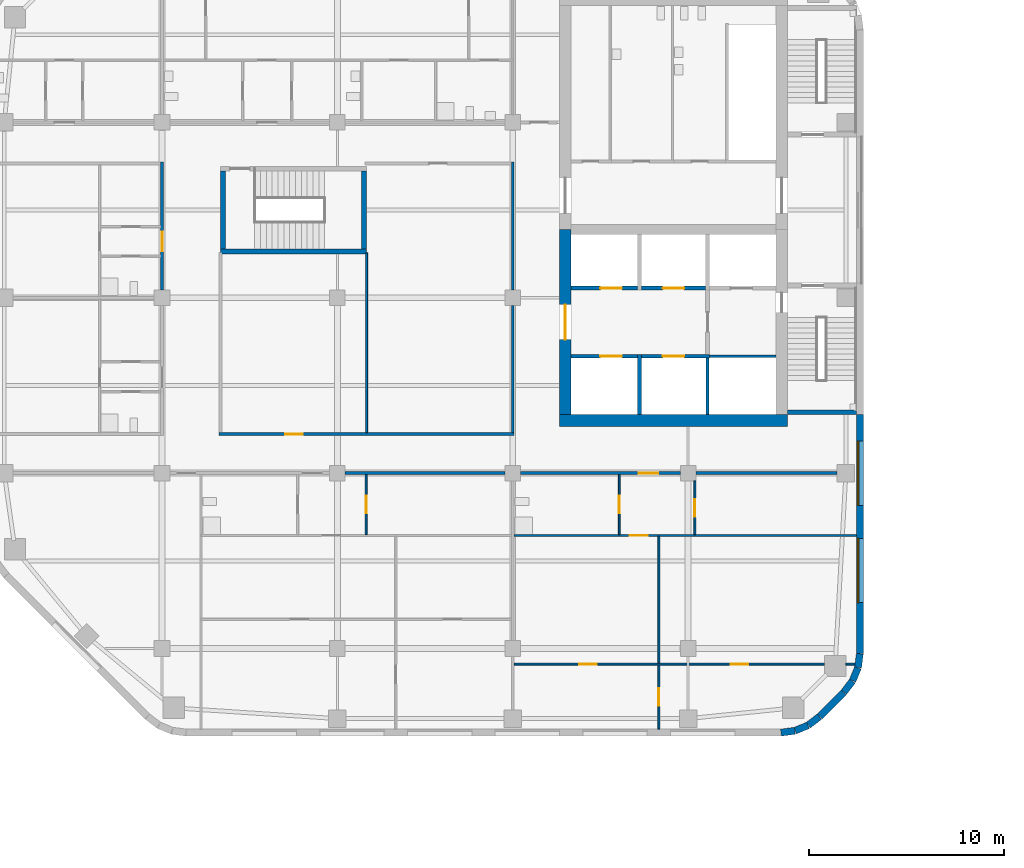
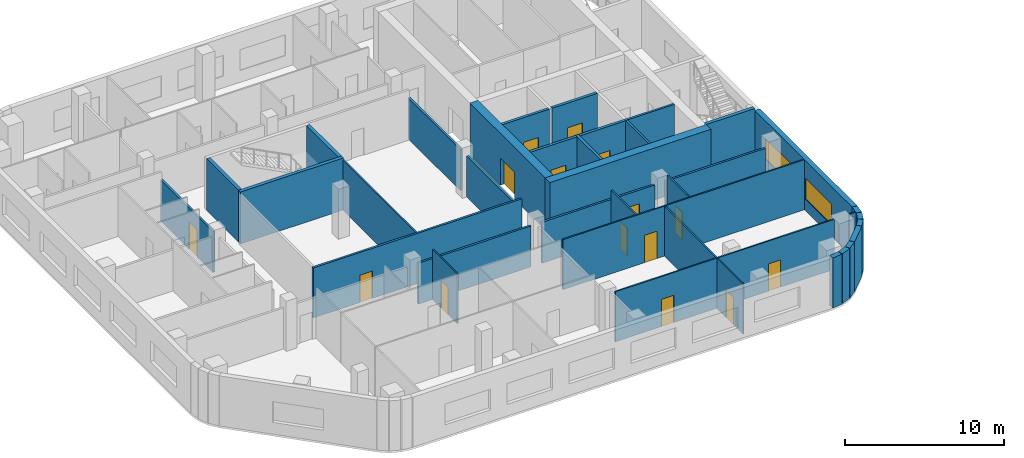
# One storey, part 6 of 16: 37 walls, 15 doors, 2 windows, 17 openings.
"""IFC4 building model written with IfcOpenShell, lengths in metres."""

from ifc_helpers import new_model, si_unit, direction, frame, frame_2d, origin, place, context, subcontext, project, spatial, rectangle, extrude, material, layer, layer_set, type_object, element, fill, save


model = new_model("IFC4")

# Units and contexts
model_context = context("Model", 3, precision=1e-05, world=origin(), true_north=direction((0.0, 1.0)))
body_context = subcontext(model_context, "Body", "Model", "MODEL_VIEW")
ifc_project = project(units=[si_unit("LENGTHUNIT", "METRE"), si_unit("AREAUNIT", "SQUARE_METRE"), si_unit("VOLUMEUNIT", "CUBIC_METRE"), si_unit("PLANEANGLEUNIT", "RADIAN"), si_unit("MASSUNIT", "GRAM", prefix="KILO")], contexts=[model_context])

# Site, building, storey
site_placement = place(None, origin())
site = spatial("IfcSite", under=ifc_project, at=site_placement, CompositionType="ELEMENT")
building_placement = place(site_placement, origin())
building = spatial("IfcBuilding", under=site, at=building_placement, Name="Cinnabar Reach Civic Tower", CompositionType="ELEMENT")
storey_placement = place(building_placement, frame((0.0, 0.0, 38.0)))
storey = spatial("IfcBuildingStorey", under=building, at=storey_placement, Name="L08", CompositionType="ELEMENT", Elevation=38.0)

# Walls
ifc_material_1 = material(Name="Facing brick with insulated backing", Category="masonry")
ifc_layer_1 = layer(ifc_material_1, 0.36)
ifc_layer_set_1 = layer_set([ifc_layer_1], Name="Brick corner wall")
wall_type_1 = type_object("IfcWallType", Name="Brick corner wall", PredefinedType="STANDARD", material=ifc_layer_set_1)
for number, where, z_axis, x_axis, name in (
    (1, (-31.2314, 4.683, 0.0), (0.0, 0.0, 1.0), (0.99144092581, 0.13055608231, 0.0), "Brick corner wall"),
    (2, (-30.5027, 4.7819, 0.0), (0.0, 0.0, 1.0), (0.923871547278, 0.382702709855, 0.0), "Brick corner wall"),
):
    element("IfcWall", number, at=place(storey_placement, frame(where, z_axis=z_axis, x_axis=x_axis)), inside=storey, type_object=wall_type_1, Name=name, PredefinedType="STANDARD", context=body_context, shape_type="SweptSolid", body=[
        extrude(rectangle(XDim=0.7131, YDim=0.36, at=frame_2d((0.3565, 0.0))), origin(), (0.0, 0.0, 1.0), 3.85),
    ])
for number, where, z_axis, x_axis, name in (
    (3, (-29.8245, 5.066, 0.0), (0.0, 0.0, 1.0), (0.793321924995, 0.608802368033, 0.0), "Brick corner wall"),
    (4, (-28.0002, 6.7587, 0.0), (0.0, 0.0, 1.0), (0.608802368033, 0.793321924995, 0.0), "Brick corner wall"),
):
    element("IfcWall", number, at=place(storey_placement, frame(where, z_axis=z_axis, x_axis=x_axis)), inside=storey, type_object=wall_type_1, Name=name, PredefinedType="STANDARD", context=body_context, shape_type="SweptSolid", body=[
        extrude(rectangle(XDim=0.7132, YDim=0.36, at=frame_2d((0.3566, 0.0))), origin(), (0.0, 0.0, 1.0), 3.85),
    ])
for number, where, z_axis, x_axis, name in (
    (5, (-27.5548, 7.3439, 0.0), (0.0, 0.0, 1.0), (0.382702709855, 0.923871547278, 0.0), "Brick corner wall"),
    (6, (-27.2761, 8.0244, 0.0), (0.0, 0.0, 1.0), (0.13055608231, 0.99144092581, 0.0), "Brick corner wall"),
):
    element("IfcWall", number, at=place(storey_placement, frame(where, z_axis=z_axis, x_axis=x_axis)), inside=storey, type_object=wall_type_1, Name=name, PredefinedType="STANDARD", context=body_context, shape_type="SweptSolid", body=[
        extrude(rectangle(XDim=0.7131, YDim=0.36, at=frame_2d((0.3565, 0.0))), origin(), (0.0, 0.0, 1.0), 3.85),
    ])
ifc_layer_2 = layer(ifc_material_1, 0.36)
ifc_layer_set_2 = layer_set([ifc_layer_2], Name="Brick pier and spandrel wall")
wall_type_2 = type_object("IfcWallType", Name="Brick pier and spandrel wall", PredefinedType="STANDARD", material=ifc_layer_set_2)
wall_1_placement = place(storey_placement, frame((-29.2486, 5.506, 0.0), z_axis=(0.0, 0.0, 1.0), x_axis=(0.707106781187, 0.707106781187, 0.0)))
element("IfcWall", 7, at=wall_1_placement, inside=storey, type_object=wall_type_2, Name="Brick facade wall", PredefinedType="STANDARD", context=body_context, shape_type="SweptSolid", body=[
    extrude(rectangle(XDim=1.7573, YDim=0.36, at=frame_2d((0.8787, 0.0))), origin(), (0.0, 0.0, 1.0), 3.85),
])

# Wall, openings, windows
wall_2_placement = place(storey_placement, frame((-27.18, 8.7426, 0.0), z_axis=(0.0, 0.0, 1.0), x_axis=(0.0, 1.0, 0.0)))
wall_2 = element("IfcWall", 8, at=wall_2_placement, inside=storey, type_object=wall_type_2, Name="Brick facade wall", PredefinedType="STANDARD", context=body_context, shape_type="SweptSolid", body=[
    extrude(rectangle(XDim=12.2574, YDim=0.36, at=frame_2d((6.1287, 0.0))), origin(), (0.0, 0.0, 1.0), 3.85),
])
opening_1_placement = place(wall_2_placement, frame((2.6074, 0.0, 0.9)))
opening_1 = element("IfcOpeningElement", 9, at=opening_1_placement, cuts=wall_2, Name="Opening W2422", PredefinedType="OPENING", context=body_context, shape_type="SweptSolid", body=[
    extrude(rectangle(XDim=3.3, YDim=1.6, at=frame_2d((1.65, 0.8))), frame((0.0, 0.19, 0.0), z_axis=(0.0, -1.0, 0.0), x_axis=(1.0, 0.0, 0.0)), (0.0, 0.0, 1.0), 0.38),
])
opening_2_placement = place(wall_2_placement, frame((7.6074, 0.0, 0.9)))
opening_2 = element("IfcOpeningElement", 10, at=opening_2_placement, cuts=wall_2, Name="Opening W2423", PredefinedType="OPENING", context=body_context, shape_type="SweptSolid", body=[
    extrude(rectangle(XDim=3.3, YDim=1.6, at=frame_2d((1.65, 0.8))), frame((0.0, 0.19, 0.0), z_axis=(0.0, -1.0, 0.0), x_axis=(1.0, 0.0, 0.0)), (0.0, 0.0, 1.0), 0.38),
])
ifc_material_2 = material(Name="Clear double glazing in aluminium frame", Category="aluminium")
window_type = type_object("IfcWindowType", Name="Deep-set window A", PartitioningType="SINGLE_PANEL", PredefinedType="WINDOW", material=ifc_material_2)
window_1_placement = place(opening_1_placement, origin())
window_1 = element("IfcWindow", 11, at=window_1_placement, inside=storey, type_object=window_type, Name="Window east face", OverallHeight=1.6, OverallWidth=3.3, PartitioningType="SINGLE_PANEL", PredefinedType="WINDOW", context=body_context, shape_type="SweptSolid", body=[
    extrude(rectangle(XDim=3.3, YDim=1.6, at=frame_2d((1.65, 0.8))), frame((0.0, 0.13, 0.0), z_axis=(0.0, -1.0, 0.0), x_axis=(1.0, 0.0, 0.0)), (0.0, 0.0, 1.0), 0.06),
])
fill(opening_1, window_1)
window_2_placement = place(opening_2_placement, origin())
window_2 = element("IfcWindow", 12, at=window_2_placement, inside=storey, type_object=window_type, Name="Window east face", OverallHeight=1.6, OverallWidth=3.3, PartitioningType="SINGLE_PANEL", PredefinedType="WINDOW", context=body_context, shape_type="SweptSolid", body=[
    extrude(rectangle(XDim=3.3, YDim=1.6, at=frame_2d((1.65, 0.8))), frame((0.0, 0.13, 0.0), z_axis=(0.0, -1.0, 0.0), x_axis=(1.0, 0.0, 0.0)), (0.0, 0.0, 1.0), 0.06),
])
fill(opening_2, window_2)

# Wall
ifc_material_3 = material(Name="Concrete C70", Category="concrete")
ifc_layer_3 = layer(ifc_material_3, 0.6)
ifc_layer_set_3 = layer_set([ifc_layer_3], Name="Core wall 600 EI 180")
wall_type_3 = type_object("IfcWallType", Name="Core wall 600 EI 180", PredefinedType="SOLIDWALL", material=ifc_layer_set_3)
wall_3_placement = place(storey_placement, frame((-42.6, 20.7, 0.0), z_axis=(0.0, 0.0, 1.0), x_axis=(1.0, 0.0, 0.0)))
element("IfcWall", 13, at=wall_3_placement, inside=storey, type_object=wall_type_3, Name="Core wall T2 L08 S", PredefinedType="SOLIDWALL", context=body_context, shape_type="SweptSolid", body=[
    extrude(rectangle(XDim=11.7, YDim=0.6, at=frame_2d((5.85, 0.0))), origin(), (0.0, 0.0, 1.0), 4.0),
])

# Wall, opening, door
wall_4_placement = place(storey_placement, frame((-42.3, 30.5, 0.0), z_axis=(0.0, 0.0, 1.0), x_axis=(0.0, -1.0, 0.0)))
wall_4 = element("IfcWall", 14, at=wall_4_placement, inside=storey, type_object=wall_type_3, Name="Core wall T2 L08 W2", PredefinedType="SOLIDWALL", context=body_context, shape_type="SweptSolid", body=[
    extrude(rectangle(XDim=9.5, YDim=0.6, at=frame_2d((4.75, 0.0))), origin(), (0.0, 0.0, 1.0), 4.0),
])
opening_3_placement = place(wall_4_placement, frame((3.85, 0.0, 0.0)))
opening_3 = element("IfcOpeningElement", 15, at=opening_3_placement, cuts=wall_4, Name="Opening D6268", PredefinedType="OPENING", context=body_context, shape_type="SweptSolid", body=[
    extrude(rectangle(XDim=1.8, YDim=2.1, at=frame_2d((0.9, 1.05))), frame((0.0, 0.31, 0.0), z_axis=(0.0, -1.0, 0.0), x_axis=(1.0, 0.0, 0.0)), (0.0, 0.0, 1.0), 0.62),
])
ifc_material_4 = material(Name="Steel fire door", Category="steel")
door_type_1 = type_object("IfcDoorType", Name="T2 Double door 1800", OperationType="DOUBLE_DOOR_SINGLE_SWING", PredefinedType="DOOR", material=ifc_material_4)
door_1_placement = place(opening_3_placement, origin())
door_1 = element("IfcDoor", 16, at=door_1_placement, inside=storey, type_object=door_type_1, Name="T2 Double door D6268", OperationType="DOUBLE_DOOR_SINGLE_SWING", OverallHeight=2.1, OverallWidth=1.8, PredefinedType="DOOR", context=body_context, shape_type="SweptSolid", body=[
    extrude(rectangle(XDim=1.8, YDim=2.1, at=frame_2d((0.9, 1.05))), frame((0.0, 0.025, 0.0), z_axis=(0.0, -1.0, 0.0), x_axis=(1.0, 0.0, 0.0)), (0.0, 0.0, 1.0), 0.05),
])
fill(opening_3, door_1)

# Wall
ifc_material_5 = material(Name="Gypsum board on steel studs, double layer", Category="steel")
ifc_layer_4 = layer(ifc_material_5, 0.15)
ifc_layer_set_4 = layer_set([ifc_layer_4], Name="Corridor wall 150 T2")
wall_type_4 = type_object("IfcWallType", Name="Corridor wall 150 T2", PredefinedType="PARTITIONING", material=ifc_layer_set_4)
wall_5_placement = place(storey_placement, frame((-35.6, 18.0, 0.0), z_axis=(0.0, 0.0, 1.0), x_axis=(1.0, 0.0, 0.0)))
element("IfcWall", 17, at=wall_5_placement, inside=storey, type_object=wall_type_4, Name="Corridor wall 1", PredefinedType="PARTITIONING", context=body_context, shape_type="SweptSolid", body=[
    extrude(rectangle(XDim=7.25, YDim=0.15, at=frame_2d((3.625, 0.0))), origin(), (0.0, 0.0, 1.0), 3.15),
])

# Wall, opening, door
wall_6_placement = place(storey_placement, frame((-44.6, 18.0, 0.0), z_axis=(0.0, 0.0, 1.0), x_axis=(1.0, 0.0, 0.0)))
wall_6 = element("IfcWall", 18, at=wall_6_placement, inside=storey, type_object=wall_type_4, Name="Corridor wall 2", PredefinedType="PARTITIONING", context=body_context, shape_type="SweptSolid", body=[
    extrude(rectangle(XDim=8.2, YDim=0.15, at=frame_2d((4.1, 0.0))), origin(), (0.0, 0.0, 1.0), 3.15),
])
opening_4_placement = place(wall_6_placement, frame((6.0684, 0.0, 0.0)))
opening_4 = element("IfcOpeningElement", 19, at=opening_4_placement, cuts=wall_6, Name="Opening D6288", PredefinedType="OPENING", context=body_context, shape_type="SweptSolid", body=[
    extrude(rectangle(XDim=1.0, YDim=2.1, at=frame_2d((0.5, 1.05))), frame((0.0, 0.085, 0.0), z_axis=(0.0, -1.0, 0.0), x_axis=(1.0, 0.0, 0.0)), (0.0, 0.0, 1.0), 0.17),
])
ifc_material_6 = material(Name="Timber door leaf in steel frame", Category="steel")
door_type_2 = type_object("IfcDoorType", Name="Tenancy entrance door 1000 x 2100 T2", OperationType="SINGLE_SWING_LEFT", PredefinedType="DOOR", material=ifc_material_6)
door_2_placement = place(opening_4_placement, frame((1.0, 0.0, 0.0), z_axis=(0.0, 0.0, 1.0), x_axis=(-1.0, 0.0, 0.0)))
door_2 = element("IfcDoor", 20, at=door_2_placement, inside=storey, type_object=door_type_2, Name="Door D6288", OperationType="SINGLE_SWING_RIGHT", OverallHeight=2.1, OverallWidth=1.0, PredefinedType="DOOR", context=body_context, shape_type="SweptSolid", body=[
    extrude(rectangle(XDim=1.0, YDim=2.1, at=frame_2d((0.5, 1.05))), frame((0.0, 0.025, 0.0), z_axis=(0.0, -1.0, 0.0), x_axis=(1.0, 0.0, 0.0)), (0.0, 0.0, 1.0), 0.05),
])
fill(opening_4, door_2)

# Wall
wall_7_placement = place(storey_placement, frame((-53.6, 18.0, 0.0), z_axis=(0.0, 0.0, 1.0), x_axis=(1.0, 0.0, 0.0)))
element("IfcWall", 21, at=wall_7_placement, inside=storey, type_object=wall_type_4, Name="Corridor wall 3", PredefinedType="PARTITIONING", context=body_context, shape_type="SweptSolid", body=[
    extrude(rectangle(XDim=8.2, YDim=0.15, at=frame_2d((4.1, 0.0))), origin(), (0.0, 0.0, 1.0), 3.15),
])

# Wall, opening, door
wall_8_placement = place(storey_placement, frame((-60.075, 20.0, 0.0), z_axis=(0.0, 0.0, 1.0), x_axis=(1.0, 0.0, 0.0)))
wall_8 = element("IfcWall", 22, at=wall_8_placement, inside=storey, type_object=wall_type_4, Name="Corridor wall 10", PredefinedType="PARTITIONING", context=body_context, shape_type="SweptSolid", body=[
    extrude(rectangle(XDim=15.15, YDim=0.15, at=frame_2d((7.575, 0.0))), origin(), (0.0, 0.0, 1.0), 3.85),
])
opening_5_placement = place(wall_8_placement, frame((3.4, 0.0, 0.0)))
opening_5 = element("IfcOpeningElement", 23, at=opening_5_placement, cuts=wall_8, Name="Opening D6309", PredefinedType="OPENING", context=body_context, shape_type="SweptSolid", body=[
    extrude(rectangle(XDim=0.9, YDim=2.1, at=frame_2d((0.45, 1.05))), frame((0.0, 0.085, 0.0), z_axis=(0.0, -1.0, 0.0), x_axis=(1.0, 0.0, 0.0)), (0.0, 0.0, 1.0), 0.17),
])
door_type_3 = type_object("IfcDoorType", Name="Single swing door 900 x 2100 T2", OperationType="SINGLE_SWING_LEFT", PredefinedType="DOOR", material=ifc_material_6)
door_3_placement = place(opening_5_placement, origin())
door_3 = element("IfcDoor", 24, at=door_3_placement, inside=storey, type_object=door_type_3, Name="Door D6309", OperationType="SINGLE_SWING_RIGHT", OverallHeight=2.1, OverallWidth=0.9, PredefinedType="DOOR", context=body_context, shape_type="SweptSolid", body=[
    extrude(rectangle(XDim=0.9, YDim=2.1, at=frame_2d((0.45, 1.05))), frame((0.0, 0.025, 0.0), z_axis=(0.0, -1.0, 0.0), x_axis=(1.0, 0.0, 0.0)), (0.0, 0.0, 1.0), 0.05),
])
fill(opening_5, door_3)

wall_9_placement = place(storey_placement, frame((-63.0, 27.4, 0.0), z_axis=(0.0, 0.0, 1.0), x_axis=(0.0, 1.0, 0.0)))
wall_9 = element("IfcWall", 25, at=wall_9_placement, inside=storey, type_object=wall_type_4, Name="Corridor wall 12", PredefinedType="PARTITIONING", context=body_context, shape_type="SweptSolid", body=[
    extrude(rectangle(XDim=6.575, YDim=0.15, at=frame_2d((3.2875, 0.0))), origin(), (0.0, 0.0, 1.0), 3.158),
])
opening_6_placement = place(wall_9_placement, frame((1.989, 0.0, 0.0)))
opening_6 = element("IfcOpeningElement", 26, at=opening_6_placement, cuts=wall_9, Name="Opening D6308", PredefinedType="OPENING", context=body_context, shape_type="SweptSolid", body=[
    extrude(rectangle(XDim=1.0, YDim=2.1, at=frame_2d((0.5, 1.05))), frame((0.0, 0.085, 0.0), z_axis=(0.0, -1.0, 0.0), x_axis=(1.0, 0.0, 0.0)), (0.0, 0.0, 1.0), 0.17),
])
door_4_placement = place(opening_6_placement, origin())
door_4 = element("IfcDoor", 27, at=door_4_placement, inside=storey, type_object=door_type_2, Name="Door D6308", OperationType="SINGLE_SWING_LEFT", OverallHeight=2.1, OverallWidth=1.0, PredefinedType="DOOR", context=body_context, shape_type="SweptSolid", body=[
    extrude(rectangle(XDim=1.0, YDim=2.1, at=frame_2d((0.5, 1.05))), frame((0.0, 0.025, 0.0), z_axis=(0.0, -1.0, 0.0), x_axis=(1.0, 0.0, 0.0)), (0.0, 0.0, 1.0), 0.05),
])
fill(opening_6, door_4)

# Walls
wall_10_placement = place(storey_placement, frame((-45.0, 20.075, 0.0), z_axis=(0.0, 0.0, 1.0), x_axis=(0.0, 1.0, 0.0)))
element("IfcWall", 28, at=wall_10_placement, inside=storey, type_object=wall_type_4, Name="Corridor wall 13", PredefinedType="PARTITIONING", context=body_context, shape_type="SweptSolid", body=[
    extrude(rectangle(XDim=6.525, YDim=0.15, at=frame_2d((3.2625, 0.0))), origin(), (0.0, 0.0, 1.0), 3.158),
])
wall_11_placement = place(storey_placement, frame((-45.0, 27.4, 0.0), z_axis=(0.0, 0.0, 1.0), x_axis=(0.0, 1.0, 0.0)))
element("IfcWall", 29, at=wall_11_placement, inside=storey, type_object=wall_type_4, Name="Corridor wall 14", PredefinedType="PARTITIONING", context=body_context, shape_type="SweptSolid", body=[
    extrude(rectangle(XDim=6.575, YDim=0.15, at=frame_2d((3.2875, 0.0))), origin(), (0.0, 0.0, 1.0), 3.158),
])

# Wall, opening, door
ifc_material_7 = material(Name="Gypsum board on steel studs", Category="steel")
ifc_layer_5 = layer(ifc_material_7, 0.1)
ifc_layer_set_5 = layer_set([ifc_layer_5], Name="Partition wall 100 T2")
wall_type_5 = type_object("IfcWallType", Name="Partition wall 100 T2", PredefinedType="PARTITIONING", material=ifc_layer_set_5)
wall_12_placement = place(storey_placement, frame((-44.925, 14.8, 0.0), z_axis=(0.0, 0.0, 1.0), x_axis=(1.0, 0.0, 0.0)))
wall_12 = element("IfcWall", 30, at=wall_12_placement, inside=storey, type_object=wall_type_5, Name="Partition wall 24", PredefinedType="PARTITIONING", context=body_context, shape_type="SweptSolid", body=[
    extrude(rectangle(XDim=17.565, YDim=0.1, at=frame_2d((8.7825, 0.0))), origin(), (0.0, 0.0, 1.0), 3.85),
])
opening_7_placement = place(wall_12_placement, frame((5.9434, 0.0, 0.0)))
opening_7 = element("IfcOpeningElement", 31, at=opening_7_placement, cuts=wall_12, Name="Opening D6284", PredefinedType="OPENING", context=body_context, shape_type="SweptSolid", body=[
    extrude(rectangle(XDim=0.9, YDim=2.1, at=frame_2d((0.45, 1.05))), frame((0.0, 0.06, 0.0), z_axis=(0.0, -1.0, 0.0), x_axis=(1.0, 0.0, 0.0)), (0.0, 0.0, 1.0), 0.12),
])
door_5_placement = place(opening_7_placement, origin())
door_5 = element("IfcDoor", 32, at=door_5_placement, inside=storey, type_object=door_type_3, Name="Door D6284", OperationType="SINGLE_SWING_LEFT", OverallHeight=2.1, OverallWidth=0.9, PredefinedType="DOOR", context=body_context, shape_type="SweptSolid", body=[
    extrude(rectangle(XDim=0.9, YDim=2.1, at=frame_2d((0.45, 1.05))), frame((0.0, 0.025, 0.0), z_axis=(0.0, -1.0, 0.0), x_axis=(1.0, 0.0, 0.0)), (0.0, 0.0, 1.0), 0.05),
])
fill(opening_7, door_5)

# Wall, openings, doors
wall_13_placement = place(storey_placement, frame((-44.925, 8.1933, 0.0), z_axis=(0.0, 0.0, 1.0), x_axis=(1.0, 0.0, 0.0)))
wall_13 = element("IfcWall", 33, at=wall_13_placement, inside=storey, type_object=wall_type_5, Name="Partition wall 27", PredefinedType="PARTITIONING", context=body_context, shape_type="SweptSolid", body=[
    extrude(rectangle(XDim=15.9219, YDim=0.1, at=frame_2d((7.961, 0.0))), origin(), (0.0, 0.0, 1.0), 3.85),
])
opening_8_placement = place(wall_13_placement, frame((3.35, 0.0, 0.0)))
opening_8 = element("IfcOpeningElement", 34, at=opening_8_placement, cuts=wall_13, Name="Opening D6286", PredefinedType="OPENING", context=body_context, shape_type="SweptSolid", body=[
    extrude(rectangle(XDim=0.9, YDim=2.1, at=frame_2d((0.45, 1.05))), frame((0.0, 0.06, 0.0), z_axis=(0.0, -1.0, 0.0), x_axis=(1.0, 0.0, 0.0)), (0.0, 0.0, 1.0), 0.12),
])
opening_9_placement = place(wall_13_placement, frame((11.125, 0.0, 0.0)))
opening_9 = element("IfcOpeningElement", 35, at=opening_9_placement, cuts=wall_13, Name="Opening D6287", PredefinedType="OPENING", context=body_context, shape_type="SweptSolid", body=[
    extrude(rectangle(XDim=0.9, YDim=2.1, at=frame_2d((0.45, 1.05))), frame((0.0, 0.06, 0.0), z_axis=(0.0, -1.0, 0.0), x_axis=(1.0, 0.0, 0.0)), (0.0, 0.0, 1.0), 0.12),
])
door_6_placement = place(opening_8_placement, frame((0.9, 0.0, 0.0), z_axis=(0.0, 0.0, 1.0), x_axis=(-1.0, 0.0, 0.0)))
door_6 = element("IfcDoor", 36, at=door_6_placement, inside=storey, type_object=door_type_3, Name="Door D6286", OperationType="SINGLE_SWING_LEFT", OverallHeight=2.1, OverallWidth=0.9, PredefinedType="DOOR", context=body_context, shape_type="SweptSolid", body=[
    extrude(rectangle(XDim=0.9, YDim=2.1, at=frame_2d((0.45, 1.05))), frame((0.0, 0.025, 0.0), z_axis=(0.0, -1.0, 0.0), x_axis=(1.0, 0.0, 0.0)), (0.0, 0.0, 1.0), 0.05),
])
fill(opening_8, door_6)
door_7_placement = place(opening_9_placement, frame((0.9, 0.0, 0.0), z_axis=(0.0, 0.0, 1.0), x_axis=(-1.0, 0.0, 0.0)))
door_7 = element("IfcDoor", 37, at=door_7_placement, inside=storey, type_object=door_type_3, Name="Door D6287", OperationType="SINGLE_SWING_RIGHT", OverallHeight=2.1, OverallWidth=0.9, PredefinedType="DOOR", context=body_context, shape_type="SweptSolid", body=[
    extrude(rectangle(XDim=0.9, YDim=2.1, at=frame_2d((0.45, 1.05))), frame((0.0, 0.025, 0.0), z_axis=(0.0, -1.0, 0.0), x_axis=(1.0, 0.0, 0.0)), (0.0, 0.0, 1.0), 0.05),
])
fill(opening_9, door_7)

# Walls
wall_14_placement = place(storey_placement, frame((-27.9031, 8.1933, 0.0), z_axis=(0.0, 0.0, 1.0), x_axis=(1.0, 0.0, 0.0)))
element("IfcWall", 38, at=wall_14_placement, inside=storey, type_object=wall_type_5, Name="Partition wall 28", PredefinedType="PARTITIONING", context=body_context, shape_type="SweptSolid", body=[
    extrude(rectangle(XDim=0.4677, YDim=0.1, at=frame_2d((0.2339, 0.0))), origin(), (0.0, 0.0, 1.0), 3.85),
])
wall_15_placement = place(storey_placement, frame((-37.5, 8.2433, 0.0), z_axis=(0.0, 0.0, 1.0), x_axis=(0.0, 1.0, 0.0)))
element("IfcWall", 39, at=wall_15_placement, inside=storey, type_object=wall_type_5, Name="Partition wall 37", PredefinedType="PARTITIONING", context=body_context, shape_type="SweptSolid", body=[
    extrude(rectangle(XDim=6.5067, YDim=0.1, at=frame_2d((3.2534, 0.0))), origin(), (0.0, 0.0, 1.0), 3.85),
])

# Wall, opening, door
wall_16_placement = place(storey_placement, frame((-37.5, 4.86, 0.0), z_axis=(0.0, 0.0, 1.0), x_axis=(0.0, 1.0, 0.0)))
wall_16 = element("IfcWall", 40, at=wall_16_placement, inside=storey, type_object=wall_type_5, Name="Partition wall 38", PredefinedType="PARTITIONING", context=body_context, shape_type="SweptSolid", body=[
    extrude(rectangle(XDim=3.2833, YDim=0.1, at=frame_2d((1.6417, 0.0))), origin(), (0.0, 0.0, 1.0), 3.85),
])
opening_10_placement = place(wall_16_placement, frame((1.2, 0.0, 0.0)))
opening_10 = element("IfcOpeningElement", 41, at=opening_10_placement, cuts=wall_16, Name="Opening D6285", PredefinedType="OPENING", context=body_context, shape_type="SweptSolid", body=[
    extrude(rectangle(XDim=0.9, YDim=2.1, at=frame_2d((0.45, 1.05))), frame((0.0, 0.06, 0.0), z_axis=(0.0, -1.0, 0.0), x_axis=(1.0, 0.0, 0.0)), (0.0, 0.0, 1.0), 0.12),
])
door_8_placement = place(opening_10_placement, frame((0.9, 0.0, 0.0), z_axis=(0.0, 0.0, 1.0), x_axis=(-1.0, 0.0, 0.0)))
door_8 = element("IfcDoor", 42, at=door_8_placement, inside=storey, type_object=door_type_3, Name="Door D6285", OperationType="SINGLE_SWING_RIGHT", OverallHeight=2.1, OverallWidth=0.9, PredefinedType="DOOR", context=body_context, shape_type="SweptSolid", body=[
    extrude(rectangle(XDim=0.9, YDim=2.1, at=frame_2d((0.45, 1.05))), frame((0.0, 0.025, 0.0), z_axis=(0.0, -1.0, 0.0), x_axis=(1.0, 0.0, 0.0)), (0.0, 0.0, 1.0), 0.05),
])
fill(opening_10, door_8)

# Wall
wall_17_placement = place(storey_placement, frame((-52.5, 20.075, 0.0), z_axis=(0.0, 0.0, 1.0), x_axis=(0.0, 1.0, 0.0)))
element("IfcWall", 43, at=wall_17_placement, inside=storey, type_object=wall_type_5, Name="Partition wall 39", PredefinedType="PARTITIONING", context=body_context, shape_type="SweptSolid", body=[
    extrude(rectangle(XDim=9.225, YDim=0.1, at=frame_2d((4.6125, 0.0))), origin(), (0.0, 0.0, 1.0), 3.85),
])

# Wall, opening, door
wall_18_placement = place(storey_placement, frame((-52.52, 14.85, 0.0), z_axis=(0.0, 0.0, 1.0), x_axis=(0.0, 1.0, 0.0)))
wall_18 = element("IfcWall", 44, at=wall_18_placement, inside=storey, type_object=wall_type_5, Name="Partition wall 55", PredefinedType="PARTITIONING", context=body_context, shape_type="SweptSolid", body=[
    extrude(rectangle(XDim=3.075, YDim=0.1, at=frame_2d((1.5375, 0.0))), origin(), (0.0, 0.0, 1.0), 3.85),
])
opening_11_placement = place(wall_18_placement, frame((1.1, 0.0, 0.0)))
opening_11 = element("IfcOpeningElement", 45, at=opening_11_placement, cuts=wall_18, Name="Opening D6276", PredefinedType="OPENING", context=body_context, shape_type="SweptSolid", body=[
    extrude(rectangle(XDim=0.9, YDim=2.1, at=frame_2d((0.45, 1.05))), frame((0.0, 0.06, 0.0), z_axis=(0.0, -1.0, 0.0), x_axis=(1.0, 0.0, 0.0)), (0.0, 0.0, 1.0), 0.12),
])
door_9_placement = place(opening_11_placement, origin())
door_9 = element("IfcDoor", 46, at=door_9_placement, inside=storey, type_object=door_type_3, Name="Door D6276", OperationType="SINGLE_SWING_LEFT", OverallHeight=2.1, OverallWidth=0.9, PredefinedType="DOOR", context=body_context, shape_type="SweptSolid", body=[
    extrude(rectangle(XDim=0.9, YDim=2.1, at=frame_2d((0.45, 1.05))), frame((0.0, 0.025, 0.0), z_axis=(0.0, -1.0, 0.0), x_axis=(1.0, 0.0, 0.0)), (0.0, 0.0, 1.0), 0.05),
])
fill(opening_11, door_9)

wall_19_placement = place(storey_placement, frame((-39.5316, 14.85, 0.0), z_axis=(0.0, 0.0, 1.0), x_axis=(0.0, 1.0, 0.0)))
wall_19 = element("IfcWall", 47, at=wall_19_placement, inside=storey, type_object=wall_type_5, Name="Partition wall 56", PredefinedType="PARTITIONING", context=body_context, shape_type="SweptSolid", body=[
    extrude(rectangle(XDim=3.075, YDim=0.1, at=frame_2d((1.5375, 0.0))), origin(), (0.0, 0.0, 1.0), 3.85),
])
opening_12_placement = place(wall_19_placement, frame((1.1, 0.0, 0.0)))
opening_12 = element("IfcOpeningElement", 48, at=opening_12_placement, cuts=wall_19, Name="Opening D6282", PredefinedType="OPENING", context=body_context, shape_type="SweptSolid", body=[
    extrude(rectangle(XDim=0.9, YDim=2.1, at=frame_2d((0.45, 1.05))), frame((0.0, 0.06, 0.0), z_axis=(0.0, -1.0, 0.0), x_axis=(1.0, 0.0, 0.0)), (0.0, 0.0, 1.0), 0.12),
])
door_10_placement = place(opening_12_placement, origin())
door_10 = element("IfcDoor", 49, at=door_10_placement, inside=storey, type_object=door_type_3, Name="Door D6282", OperationType="SINGLE_SWING_LEFT", OverallHeight=2.1, OverallWidth=0.9, PredefinedType="DOOR", context=body_context, shape_type="SweptSolid", body=[
    extrude(rectangle(XDim=0.9, YDim=2.1, at=frame_2d((0.45, 1.05))), frame((0.0, 0.025, 0.0), z_axis=(0.0, -1.0, 0.0), x_axis=(1.0, 0.0, 0.0)), (0.0, 0.0, 1.0), 0.05),
])
fill(opening_12, door_10)

wall_20_placement = place(storey_placement, frame((-35.6508, 14.85, 0.0), z_axis=(0.0, 0.0, 1.0), x_axis=(0.0, 1.0, 0.0)))
wall_20 = element("IfcWall", 50, at=wall_20_placement, inside=storey, type_object=wall_type_5, Name="Partition wall 57", PredefinedType="PARTITIONING", context=body_context, shape_type="SweptSolid", body=[
    extrude(rectangle(XDim=2.75, YDim=0.1, at=frame_2d((1.375, 0.0))), origin(), (0.0, 0.0, 1.0), 3.85),
])
opening_13_placement = place(wall_20_placement, frame((0.9, 0.0, 0.0)))
opening_13 = element("IfcOpeningElement", 51, at=opening_13_placement, cuts=wall_20, Name="Opening D6283", PredefinedType="OPENING", context=body_context, shape_type="SweptSolid", body=[
    extrude(rectangle(XDim=0.9, YDim=2.1, at=frame_2d((0.45, 1.05))), frame((0.0, 0.06, 0.0), z_axis=(0.0, -1.0, 0.0), x_axis=(1.0, 0.0, 0.0)), (0.0, 0.0, 1.0), 0.12),
])
door_11_placement = place(opening_13_placement, origin())
door_11 = element("IfcDoor", 52, at=door_11_placement, inside=storey, type_object=door_type_3, Name="Door D6283", OperationType="SINGLE_SWING_LEFT", OverallHeight=2.1, OverallWidth=0.9, PredefinedType="DOOR", context=body_context, shape_type="SweptSolid", body=[
    extrude(rectangle(XDim=0.9, YDim=2.1, at=frame_2d((0.45, 1.05))), frame((0.0, 0.025, 0.0), z_axis=(0.0, -1.0, 0.0), x_axis=(1.0, 0.0, 0.0)), (0.0, 0.0, 1.0), 0.05),
])
fill(opening_13, door_11)

# Walls
ifc_material_8 = material(Name="Concrete C60", Category="concrete")
ifc_layer_6 = layer(ifc_material_8, 0.25)
ifc_layer_set_6 = layer_set([ifc_layer_6], Name="Stair shaft wall 250 EI 120")
wall_type_6 = type_object("IfcWallType", Name="Stair shaft wall 250 EI 120", PredefinedType="SOLIDWALL", material=ifc_layer_set_6)
wall_21_placement = place(storey_placement, frame((-30.9, 21.125, 0.0), z_axis=(0.0, 0.0, 1.0), x_axis=(1.0, 0.0, 0.0)))
element("IfcWall", 53, at=wall_21_placement, inside=storey, type_object=wall_type_6, Name="Stair shaft wall T2-S1 L08", PredefinedType="SOLIDWALL", context=body_context, shape_type="SweptSolid", body=[
    extrude(rectangle(XDim=3.54, YDim=0.25, at=frame_2d((1.77, 0.0))), origin(), (0.0, 0.0, 1.0), 4.0),
])
wall_22_placement = place(storey_placement, frame((-60.0, 29.375, 0.0), z_axis=(0.0, 0.0, 1.0), x_axis=(1.0, 0.0, 0.0)))
element("IfcWall", 54, at=wall_22_placement, inside=storey, type_object=wall_type_6, Name="Stair shaft wall T2-S3 L08", PredefinedType="SOLIDWALL", context=body_context, shape_type="SweptSolid", body=[
    extrude(rectangle(XDim=7.5, YDim=0.25, at=frame_2d((3.75, 0.0))), origin(), (0.0, 0.0, 1.0), 4.0),
])
for number, where, z_axis, x_axis, name in (
    (55, (-52.625, 29.5, 0.0), (0.0, 0.0, 1.0), (0.0, 1.0, 0.0), "Stair shaft wall T2-S3 L08"),
    (56, (-59.875, 33.5, 0.0), (0.0, 0.0, 1.0), (0.0, -1.0, 0.0), "Stair shaft wall T2-S3 L08"),
):
    element("IfcWall", number, at=place(storey_placement, frame(where, z_axis=z_axis, x_axis=x_axis)), inside=storey, type_object=wall_type_6, Name=name, PredefinedType="SOLIDWALL", context=body_context, shape_type="SweptSolid", body=[
        extrude(rectangle(XDim=4.0, YDim=0.25, at=frame_2d((2.0, 0.0))), origin(), (0.0, 0.0, 1.0), 4.0),
    ])
ifc_material_9 = material(Name="Concrete C40", Category="concrete")
ifc_layer_7 = layer(ifc_material_9, 0.15)
ifc_layer_set_7 = layer_set([ifc_layer_7], Name="T2 Riser wall 150")
wall_type_7 = type_object("IfcWallType", Name="T2 Riser wall 150", PredefinedType="SOLIDWALL", material=ifc_layer_set_7)
wall_23_placement = place(storey_placement, frame((-35.0, 21.0, 0.0), z_axis=(0.0, 0.0, 1.0), x_axis=(0.0, 1.0, 0.0)))
element("IfcWall", 57, at=wall_23_placement, inside=storey, type_object=wall_type_7, Name="T2 Riser wall L08 010", PredefinedType="SOLIDWALL", context=body_context, shape_type="SweptSolid", body=[
    extrude(rectangle(XDim=2.9, YDim=0.15, at=frame_2d((1.45, 0.0))), origin(), (0.0, 0.0, 1.0), 4.0),
])
wall_24_placement = place(storey_placement, frame((-31.5, 24.0, 0.0), z_axis=(0.0, 0.0, 1.0), x_axis=(-1.0, 0.0, 0.0)))
element("IfcWall", 58, at=wall_24_placement, inside=storey, type_object=wall_type_7, Name="T2 Riser wall L08 011", PredefinedType="SOLIDWALL", context=body_context, shape_type="SweptSolid", body=[
    extrude(rectangle(XDim=3.4, YDim=0.15, at=frame_2d((1.7, 0.0))), origin(), (0.0, 0.0, 1.0), 4.0),
])
ifc_layer_8 = layer(ifc_material_9, 0.2)
ifc_layer_set_8 = layer_set([ifc_layer_8], Name="T2 Shaft wall 200")
wall_type_8 = type_object("IfcWallType", Name="T2 Shaft wall 200", PredefinedType="SOLIDWALL", material=ifc_layer_set_8)
wall_25_placement = place(storey_placement, frame((-38.5, 21.0, 0.0), z_axis=(0.0, 0.0, 1.0), x_axis=(0.0, 1.0, 0.0)))
element("IfcWall", 59, at=wall_25_placement, inside=storey, type_object=wall_type_8, Name="T2 Shaft wall L08 001", PredefinedType="SOLIDWALL", context=body_context, shape_type="SweptSolid", body=[
    extrude(rectangle(XDim=3.1, YDim=0.2, at=frame_2d((1.55, 0.0))), origin(), (0.0, 0.0, 1.0), 4.0),
])

# Wall, opening, door
wall_26_placement = place(storey_placement, frame((-38.6, 24.0, 0.0), z_axis=(0.0, 0.0, 1.0), x_axis=(-1.0, 0.0, 0.0)))
wall_26 = element("IfcWall", 60, at=wall_26_placement, inside=storey, type_object=wall_type_8, Name="T2 Shaft wall L08 002", PredefinedType="SOLIDWALL", context=body_context, shape_type="SweptSolid", body=[
    extrude(rectangle(XDim=3.4, YDim=0.2, at=frame_2d((1.7, 0.0))), origin(), (0.0, 0.0, 1.0), 4.0),
])
opening_14_placement = place(wall_26_placement, frame((0.8, 0.0, 0.0)))
opening_14 = element("IfcOpeningElement", 61, at=opening_14_placement, cuts=wall_26, Name="Opening D6258", PredefinedType="OPENING", context=body_context, shape_type="SweptSolid", body=[
    extrude(rectangle(XDim=1.1, YDim=2.1, at=frame_2d((0.55, 1.05))), frame((0.0, 0.11, 0.0), z_axis=(0.0, -1.0, 0.0), x_axis=(1.0, 0.0, 0.0)), (0.0, 0.0, 1.0), 0.22),
])
door_type_4 = type_object("IfcDoorType", Name="T2 Lift landing door 1100", OperationType="SLIDING_TO_LEFT", PredefinedType="DOOR", material=ifc_material_4)
door_12_placement = place(opening_14_placement, origin())
door_12 = element("IfcDoor", 62, at=door_12_placement, inside=storey, type_object=door_type_4, Name="T2 Lift landing door D6258", OperationType="SLIDING_TO_LEFT", OverallHeight=2.1, OverallWidth=1.1, PredefinedType="DOOR", context=body_context, shape_type="SweptSolid", body=[
    extrude(rectangle(XDim=1.1, YDim=2.1, at=frame_2d((0.55, 1.05))), frame((0.0, 0.025, 0.0), z_axis=(0.0, -1.0, 0.0), x_axis=(1.0, 0.0, 0.0)), (0.0, 0.0, 1.0), 0.05),
])
fill(opening_14, door_12)

wall_27_placement = place(storey_placement, frame((-34.9, 24.0, 0.0), z_axis=(0.0, 0.0, 1.0), x_axis=(-1.0, 0.0, 0.0)))
wall_27 = element("IfcWall", 63, at=wall_27_placement, inside=storey, type_object=wall_type_8, Name="T2 Shaft wall L08 003", PredefinedType="SOLIDWALL", context=body_context, shape_type="SweptSolid", body=[
    extrude(rectangle(XDim=3.5, YDim=0.2, at=frame_2d((1.75, 0.0))), origin(), (0.0, 0.0, 1.0), 4.0),
])
opening_15_placement = place(wall_27_placement, frame((1.3, 0.0, 0.0)))
opening_15 = element("IfcOpeningElement", 64, at=opening_15_placement, cuts=wall_27, Name="Opening D6259", PredefinedType="OPENING", context=body_context, shape_type="SweptSolid", body=[
    extrude(rectangle(XDim=1.1, YDim=2.1, at=frame_2d((0.55, 1.05))), frame((0.0, 0.11, 0.0), z_axis=(0.0, -1.0, 0.0), x_axis=(1.0, 0.0, 0.0)), (0.0, 0.0, 1.0), 0.22),
])
door_13_placement = place(opening_15_placement, origin())
door_13 = element("IfcDoor", 65, at=door_13_placement, inside=storey, type_object=door_type_4, Name="T2 Lift landing door D6259", OperationType="SLIDING_TO_LEFT", OverallHeight=2.1, OverallWidth=1.1, PredefinedType="DOOR", context=body_context, shape_type="SweptSolid", body=[
    extrude(rectangle(XDim=1.1, YDim=2.1, at=frame_2d((0.55, 1.05))), frame((0.0, 0.025, 0.0), z_axis=(0.0, -1.0, 0.0), x_axis=(1.0, 0.0, 0.0)), (0.0, 0.0, 1.0), 0.05),
])
fill(opening_15, door_13)

wall_28_placement = place(storey_placement, frame((-42.0, 27.5, 0.0), z_axis=(0.0, 0.0, 1.0), x_axis=(1.0, 0.0, 0.0)))
wall_28 = element("IfcWall", 66, at=wall_28_placement, inside=storey, type_object=wall_type_8, Name="T2 Shaft wall L08 005", PredefinedType="SOLIDWALL", context=body_context, shape_type="SweptSolid", body=[
    extrude(rectangle(XDim=3.4, YDim=0.2, at=frame_2d((1.7, 0.0))), origin(), (0.0, 0.0, 1.0), 4.0),
])
opening_16_placement = place(wall_28_placement, frame((1.5, 0.0, 0.0)))
opening_16 = element("IfcOpeningElement", 67, at=opening_16_placement, cuts=wall_28, Name="Opening D6260", PredefinedType="OPENING", context=body_context, shape_type="SweptSolid", body=[
    extrude(rectangle(XDim=1.1, YDim=2.1, at=frame_2d((0.55, 1.05))), frame((0.0, 0.11, 0.0), z_axis=(0.0, -1.0, 0.0), x_axis=(1.0, 0.0, 0.0)), (0.0, 0.0, 1.0), 0.22),
])
door_14_placement = place(opening_16_placement, origin())
door_14 = element("IfcDoor", 68, at=door_14_placement, inside=storey, type_object=door_type_4, Name="T2 Lift landing door D6260", OperationType="SLIDING_TO_LEFT", OverallHeight=2.1, OverallWidth=1.1, PredefinedType="DOOR", context=body_context, shape_type="SweptSolid", body=[
    extrude(rectangle(XDim=1.1, YDim=2.1, at=frame_2d((0.55, 1.05))), frame((0.0, 0.025, 0.0), z_axis=(0.0, -1.0, 0.0), x_axis=(1.0, 0.0, 0.0)), (0.0, 0.0, 1.0), 0.05),
])
fill(opening_16, door_14)

wall_29_placement = place(storey_placement, frame((-38.4, 27.5, 0.0), z_axis=(0.0, 0.0, 1.0), x_axis=(1.0, 0.0, 0.0)))
wall_29 = element("IfcWall", 69, at=wall_29_placement, inside=storey, type_object=wall_type_8, Name="T2 Shaft wall L08 007", PredefinedType="SOLIDWALL", context=body_context, shape_type="SweptSolid", body=[
    extrude(rectangle(XDim=3.3, YDim=0.2, at=frame_2d((1.65, 0.0))), origin(), (0.0, 0.0, 1.0), 4.0),
])
opening_17_placement = place(wall_29_placement, frame((1.1, 0.0, 0.0)))
opening_17 = element("IfcOpeningElement", 70, at=opening_17_placement, cuts=wall_29, Name="Opening D6261", PredefinedType="OPENING", context=body_context, shape_type="SweptSolid", body=[
    extrude(rectangle(XDim=1.1, YDim=2.1, at=frame_2d((0.55, 1.05))), frame((0.0, 0.11, 0.0), z_axis=(0.0, -1.0, 0.0), x_axis=(1.0, 0.0, 0.0)), (0.0, 0.0, 1.0), 0.22),
])
door_15_placement = place(opening_17_placement, origin())
door_15 = element("IfcDoor", 71, at=door_15_placement, inside=storey, type_object=door_type_4, Name="T2 Lift landing door D6261", OperationType="SLIDING_TO_LEFT", OverallHeight=2.1, OverallWidth=1.1, PredefinedType="DOOR", context=body_context, shape_type="SweptSolid", body=[
    extrude(rectangle(XDim=1.1, YDim=2.1, at=frame_2d((0.55, 1.05))), frame((0.0, 0.025, 0.0), z_axis=(0.0, -1.0, 0.0), x_axis=(1.0, 0.0, 0.0)), (0.0, 0.0, 1.0), 0.05),
])
fill(opening_17, door_15)

save(model, "model.ifc")
